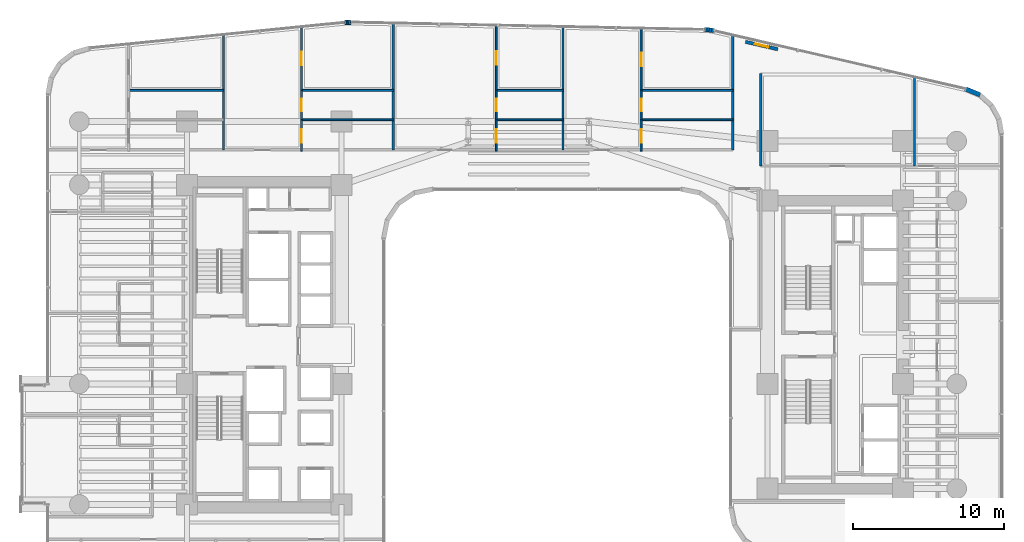
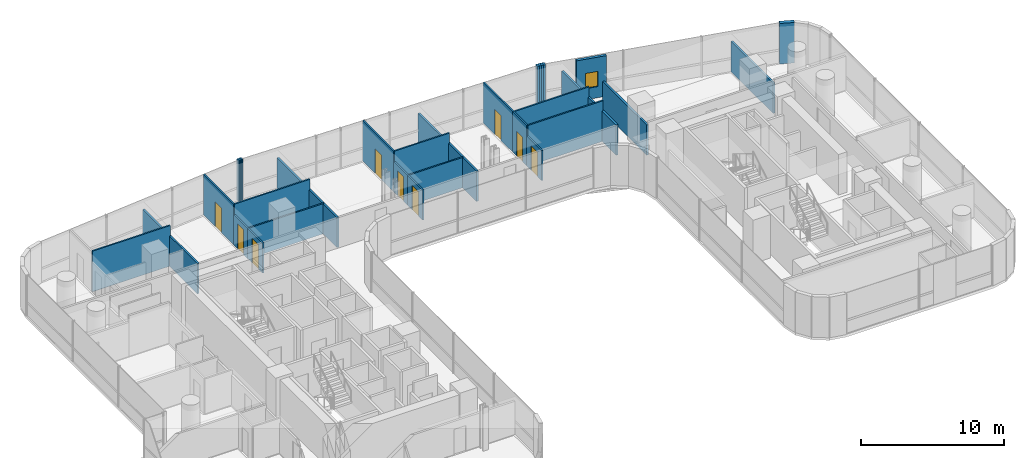
# One storey, part 34 of 41: 32 walls, 9 doors, 1 window, 10 openings.
"""IFC4 building model written with IfcOpenShell, lengths in metres."""

from ifc_helpers import new_model, si_unit, direction, frame, frame_2d, origin, place, context, subcontext, project, spatial, rectangle, extrude, material, layer, layer_set, type_object, element, fill, save


model = new_model("IFC4")

# Units and contexts
model_context = context("Model", 3, precision=1e-05, world=origin(), true_north=direction((0.0, 1.0)))
body_context = subcontext(model_context, "Body", "Model", "MODEL_VIEW")
ifc_project = project(units=[si_unit("LENGTHUNIT", "METRE"), si_unit("AREAUNIT", "SQUARE_METRE"), si_unit("VOLUMEUNIT", "CUBIC_METRE"), si_unit("PLANEANGLEUNIT", "RADIAN"), si_unit("MASSUNIT", "GRAM", prefix="KILO")], contexts=[model_context])

# Site, building, storey
site_placement = place(None, origin())
site = spatial("IfcSite", under=ifc_project, at=site_placement, CompositionType="ELEMENT")
building_placement = place(site_placement, origin())
building = spatial("IfcBuilding", under=site, at=building_placement, Name="Valdorenza Pilgrim Sanctuary Tower", CompositionType="ELEMENT")
storey_placement = place(building_placement, frame((0.0, 0.0, 59.300048828125)))
storey = spatial("IfcBuildingStorey", under=building, at=storey_placement, Name="L14", CompositionType="ELEMENT", Elevation=59.300048828125)

# Walls
ifc_material_1 = material(Name="Acoustic twin-stud gypsum partition", Category="gypsum")
ifc_layer_1 = layer(ifc_material_1, 0.159912109375, Name="Acoustic twin-stud gypsum partition")
ifc_layer_set_1 = layer_set([ifc_layer_1], Name="Acoustic twin-stud gypsum partition")
wall_type_1 = type_object("IfcWallType", Name="WAL-COR-160", PredefinedType="PARTITIONING", material=ifc_layer_set_1)
wall_1_placement = place(storey_placement, frame((13.550048828125, 12.919921875, 0.0), z_axis=(0.0, 0.0, 1.0), x_axis=(0.0, 1.0, 0.0)))
element("IfcWall", 1, at=wall_1_placement, inside=storey, type_object=wall_type_1, Name="L14 North Band East Closure", PredefinedType="PARTITIONING", context=body_context, shape_type="SweptSolid", body=[
    extrude(rectangle(XDim=7.609375, YDim=0.159912109375, at=frame_2d((3.8046875, 0.0))), origin(), (0.0, 0.0, 1.0), 2.5830078125),
])
wall_2_placement = place(storey_placement, frame((15.39990234375, 11.85009765625, 0.0), z_axis=(0.0, 0.0, 1.0), x_axis=(0.0, 1.0, 0.0)))
element("IfcWall", 2, at=wall_2_placement, inside=storey, type_object=wall_type_1, Name="L14 Wing B North West Wall", PredefinedType="PARTITIONING", context=body_context, shape_type="SweptSolid", body=[
    extrude(rectangle(XDim=6.14990234375, YDim=0.159912109375, at=frame_2d((3.074951171875, 0.0))), origin(), (0.0, 0.0, 1.0), 2.5830078125),
])
wall_3_placement = place(storey_placement, frame((25.60009765625, 11.85009765625, 0.0), z_axis=(0.0, 0.0, 1.0), x_axis=(0.0, 1.0, 0.0)))
element("IfcWall", 3, at=wall_3_placement, inside=storey, type_object=wall_type_1, Name="L14 Wing B North East Wall", PredefinedType="PARTITIONING", context=body_context, shape_type="SweptSolid", body=[
    extrude(rectangle(XDim=5.8984375, YDim=0.159912109375, at=frame_2d((2.94921875, 0.0))), origin(), (0.0, 0.0, 1.0), 2.5830078125),
])
ifc_material_2 = material(Name="Honed travertine limestone", Category="masonry")
ifc_layer_2 = layer(ifc_material_2, 0.300048828125, Name="Honed travertine limestone")
ifc_layer_set_2 = layer_set([ifc_layer_2], Name="Honed travertine limestone")
wall_type_2 = type_object("IfcWallType", Name="WAL-EXT-300", PredefinedType="SOLIDWALL", material=ifc_layer_set_2)
wall_4_placement = place(storey_placement, frame((-12.181884765625, 21.371337890625, 0.0), z_axis=(0.0, 0.0, 1.0), x_axis=(0.996527790842, 0.08326080759, 0.0)))
element("IfcWall", 4, at=wall_4_placement, inside=storey, type_object=wall_type_2, Name="L14 Rounded Wind-Corner Stone Pier 7", PredefinedType="SOLIDWALL", context=body_context, shape_type="SweptSolid", body=[
    extrude(rectangle(XDim=0.09375, YDim=0.300048828125, at=frame_2d((0.046875, 0.0))), origin(), (0.0, 0.0, 1.0), 3.4599609375),
])
wall_5_placement = place(storey_placement, frame((-12.08837890625, 21.379150390625, 0.0), z_axis=(0.0, 0.0, 1.0), x_axis=(0.998476480444, 0.055178963393, 0.0)))
element("IfcWall", 5, at=wall_5_placement, inside=storey, type_object=wall_type_2, Name="L14 Rounded Wind-Corner Stone Pier 8", PredefinedType="SOLIDWALL", context=body_context, shape_type="SweptSolid", body=[
    extrude(rectangle(XDim=0.093017578125, YDim=0.300048828125, at=frame_2d((0.04638671875, 0.0))), origin(), (0.0, 0.0, 1.0), 3.4599609375),
])
wall_6_placement = place(storey_placement, frame((-11.99560546875, 21.38427734375, 0.0), z_axis=(0.0, 0.0, 1.0), x_axis=(0.999722573757, 0.023553673204, 0.0)))
element("IfcWall", 6, at=wall_6_placement, inside=storey, type_object=wall_type_2, Name="L14 Rounded Wind-Corner Stone Pier 9", PredefinedType="SOLIDWALL", context=body_context, shape_type="SweptSolid", body=[
    extrude(rectangle(XDim=0.09326171875, YDim=0.300048828125, at=frame_2d((0.046630859375, 0.0))), origin(), (0.0, 0.0, 1.0), 3.4599609375),
])
wall_7_placement = place(storey_placement, frame((-11.90234375, 21.386474609375, 0.0), z_axis=(0.0, 0.0, 1.0), x_axis=(0.999986507273, -0.005194735103, 0.0)))
element("IfcWall", 7, at=wall_7_placement, inside=storey, type_object=wall_type_2, Name="L14 Rounded Wind-Corner Stone Pier 10", PredefinedType="SOLIDWALL", context=body_context, shape_type="SweptSolid", body=[
    extrude(rectangle(XDim=0.093994140625, YDim=0.300048828125, at=frame_2d((0.046875, 0.0))), origin(), (0.0, 0.0, 1.0), 3.4599609375),
])
wall_8_placement = place(storey_placement, frame((11.665771484375, 20.89697265625, 0.0), z_axis=(0.0, 0.0, 1.0), x_axis=(0.998885297239, -0.047203421059, 0.0)))
element("IfcWall", 8, at=wall_8_placement, inside=storey, type_object=wall_type_2, Name="L14 Rounded Wind-Corner Stone Pier 12", PredefinedType="SOLIDWALL", context=body_context, shape_type="SweptSolid", body=[
    extrude(rectangle(XDim=0.160400390625, YDim=0.300048828125, at=frame_2d((0.080078125, 0.0))), origin(), (0.0, 0.0, 1.0), 3.4599609375),
])
wall_9_placement = place(storey_placement, frame((11.825927734375, 20.889404296875, 0.0), z_axis=(0.0, 0.0, 1.0), x_axis=(0.995172891136, -0.098137234257, 0.0)))
element("IfcWall", 9, at=wall_9_placement, inside=storey, type_object=wall_type_2, Name="L14 Rounded Wind-Corner Stone Pier 13", PredefinedType="SOLIDWALL", context=body_context, shape_type="SweptSolid", body=[
    extrude(rectangle(XDim=0.1591796875, YDim=0.300048828125, at=frame_2d((0.07958984375, 0.0))), origin(), (0.0, 0.0, 1.0), 3.4599609375),
])
wall_10_placement = place(storey_placement, frame((11.984375, 20.873779296875, 0.0), z_axis=(0.0, 0.0, 1.0), x_axis=(0.988846069207, -0.148941100486, 0.0)))
element("IfcWall", 10, at=wall_10_placement, inside=storey, type_object=wall_type_2, Name="L14 Rounded Wind-Corner Stone Pier 14", PredefinedType="SOLIDWALL", context=body_context, shape_type="SweptSolid", body=[
    extrude(rectangle(XDim=0.158935546875, YDim=0.300048828125, at=frame_2d((0.07958984375, 0.0))), origin(), (0.0, 0.0, 1.0), 3.4599609375),
])
wall_11_placement = place(storey_placement, frame((12.1416015625, 20.85009765625, 0.0), z_axis=(0.0, 0.0, 1.0), x_axis=(0.979991950448, -0.19903712482, 0.0)))
element("IfcWall", 11, at=wall_11_placement, inside=storey, type_object=wall_type_2, Name="L14 Rounded Wind-Corner Stone Pier 15", PredefinedType="SOLIDWALL", context=body_context, shape_type="SweptSolid", body=[
    extrude(rectangle(XDim=0.16064453125, YDim=0.300048828125, at=frame_2d((0.080322265625, 0.0))), origin(), (0.0, 0.0, 1.0), 3.4599609375),
])

# Wall, opening, window
wall_12_placement = place(storey_placement, frame((14.388671875, 20.089599609375, 0.0), z_axis=(0.0, 0.0, 1.0), x_axis=(0.974400545997, -0.224818984875, 0.0)))
wall_12 = element("IfcWall", 12, at=wall_12_placement, inside=storey, type_object=wall_type_2, Name="L14 Operable Ventilation Sash Jamb Pier", PredefinedType="SOLIDWALL", context=body_context, shape_type="SweptSolid", body=[
    extrude(rectangle(XDim=2.2001953125, YDim=0.219970703125, at=frame_2d((1.10009765625, 0.0))), origin(), (0.0, 0.0, 1.0), 3.4599609375),
])
opening_1_placement = place(wall_12_placement, frame((0.64990234375, 0.0, 0.949951171875)))
opening_1 = element("IfcOpeningElement", 13, at=opening_1_placement, cuts=wall_12, Name="Opening WN-OP1", PredefinedType="OPENING", context=body_context, shape_type="SweptSolid", body=[
    extrude(rectangle(XDim=0.89990234375, YDim=1.300048828125, at=frame_2d((0.449951171875, 0.64990234375))), frame((0.0, 0.125, 0.0), z_axis=(0.0, -1.0, 0.0), x_axis=(1.0, 0.0, 0.0)), (0.0, 0.0, 1.0), 0.249755859375),
])
ifc_material_3 = material(Name="Ceramic-fritted low-E IGU glazing", Category="glass")
window_type = type_object("IfcWindowType", Name="WIN-OPN-900", PartitioningType="SINGLE_PANEL", PredefinedType="WINDOW", material=ifc_material_3)
window_placement = place(opening_1_placement, origin())
window = element("IfcWindow", 14, at=window_placement, inside=storey, type_object=window_type, Name="L14 Parallel-Pop-Out Operable Facade Panel", OverallHeight=1.300048828125, OverallWidth=0.89990234375, PartitioningType="SINGLE_PANEL", PredefinedType="WINDOW", context=body_context, shape_type="SweptSolid", body=[
    extrude(rectangle(XDim=0.89990234375, YDim=1.300048828125, at=frame_2d((0.449951171875, 0.64990234375))), frame((0.0, 0.030029296875, 0.0), z_axis=(0.0, -1.0, 0.0), x_axis=(1.0, 0.0, 0.0)), (0.0, 0.0, 1.0), 0.06005859375),
])
fill(opening_1, window)

# Walls
wall_13_placement = place(storey_placement, frame((28.98583984375, 16.96728515625, 0.0), z_axis=(0.0, 0.0, 1.0), x_axis=(0.923083852684, -0.384598753136, 0.0)))
element("IfcWall", 15, at=wall_13_placement, inside=storey, type_object=wall_type_2, Name="L14 Rounded Wind-Corner Stone Pier 17", PredefinedType="SOLIDWALL", context=body_context, shape_type="SweptSolid", body=[
    extrude(rectangle(XDim=1.042236328125, YDim=0.300048828125, at=frame_2d((0.52099609375, 0.0))), origin(), (0.0, 0.0, 1.0), 3.4599609375),
])
ifc_material_4 = material(Name="Moisture-resistant gypsum partition", Category="gypsum")
ifc_layer_3 = layer(ifc_material_4, 0.1201171875, Name="Moisture-resistant gypsum partition")
ifc_layer_set_3 = layer_set([ifc_layer_3], Name="Moisture-resistant gypsum partition")
wall_type_3 = type_object("IfcWallType", Name="WAL-INT-120", PredefinedType="PARTITIONING", material=ifc_layer_set_3)
wall_14_placement = place(storey_placement, frame((-26.530029296875, 16.8701171875, 0.0), z_axis=(0.0, 0.0, 1.0), x_axis=(1.0, 0.0, 0.0)))
element("IfcWall", 16, at=wall_14_placement, inside=storey, type_object=wall_type_3, Name="L14 North Sanctuary Apartment L14-N1 Kitchen-Bedroom Wall", PredefinedType="PARTITIONING", context=body_context, shape_type="SweptSolid", body=[
    extrude(rectangle(XDim=6.2919921875, YDim=0.1201171875, at=frame_2d((3.14599609375, 0.0))), origin(), (0.0, 0.0, 1.0), 3.4599609375),
])
wall_15_placement = place(storey_placement, frame((-15.056884765625, 14.919921875, 0.0), z_axis=(0.0, 0.0, 1.0), x_axis=(1.0, 0.0, 0.0)))
element("IfcWall", 17, at=wall_15_placement, inside=storey, type_object=wall_type_3, Name="L14 North Sanctuary Apartment L14-N2 Bath-Kitchen Wall", PredefinedType="PARTITIONING", context=body_context, shape_type="SweptSolid", body=[
    extrude(rectangle(XDim=6.081787109375, YDim=0.1201171875, at=frame_2d((3.041015625, 0.0))), origin(), (0.0, 0.0, 1.0), 2.5830078125),
])
wall_16_placement = place(storey_placement, frame((-15.056884765625, 16.8701171875, 0.0), z_axis=(0.0, 0.0, 1.0), x_axis=(1.0, 0.0, 0.0)))
element("IfcWall", 18, at=wall_16_placement, inside=storey, type_object=wall_type_3, Name="L14 North Sanctuary Apartment L14-N2 Kitchen-Bedroom Wall", PredefinedType="PARTITIONING", context=body_context, shape_type="SweptSolid", body=[
    extrude(rectangle(XDim=6.081787109375, YDim=0.1201171875, at=frame_2d((3.041015625, 0.0))), origin(), (0.0, 0.0, 1.0), 3.4599609375),
])

# Wall, opening, door
wall_17_placement = place(storey_placement, frame((-15.056884765625, 14.919921875, 0.0), z_axis=(0.0, 0.0, 1.0), x_axis=(0.0, 1.0, 0.0)))
wall_17 = element("IfcWall", 19, at=wall_17_placement, inside=storey, type_object=wall_type_3, Name="L14 North Sanctuary Apartment L14-N2 Bathroom Door Wall", PredefinedType="PARTITIONING", context=body_context, shape_type="SweptSolid", body=[
    extrude(rectangle(XDim=1.9501953125, YDim=0.1201171875, at=frame_2d((0.97509765625, 0.0))), origin(), (0.0, 0.0, 1.0), 2.5830078125),
])
opening_2_placement = place(wall_17_placement, frame((0.550048828125, 0.0, 0.0)))
opening_2 = element("IfcOpeningElement", 20, at=opening_2_placement, cuts=wall_17, Name="Opening DR-WC1", PredefinedType="OPENING", context=body_context, shape_type="SweptSolid", body=[
    extrude(rectangle(XDim=0.85009765625, YDim=2.10009765625, at=frame_2d((0.425048828125, 1.050048828125))), frame((0.0, 0.074951171875, 0.0), z_axis=(0.0, -1.0, 0.0), x_axis=(1.0, 0.0, 0.0)), (0.0, 0.0, 1.0), 0.14990234375),
])
ifc_material_5 = material(Name="Moisture-resistant lacquered timber", Category="wood")
door_type_1 = type_object("IfcDoorType", Name="DR-BATH-850", OperationType="NOTDEFINED", PredefinedType="DOOR", material=ifc_material_5)
door_1_placement = place(opening_2_placement, origin())
door_1 = element("IfcDoor", 21, at=door_1_placement, inside=storey, type_object=door_type_1, Name="L14 North Sanctuary Apartment L14-N2 Bathroom Door", OperationType="SINGLE_SWING_RIGHT", OverallHeight=2.10009765625, OverallWidth=0.85009765625, PredefinedType="DOOR", context=body_context, shape_type="SweptSolid", body=[
    extrude(rectangle(XDim=0.85009765625, YDim=2.10009765625, at=frame_2d((0.425048828125, 1.050048828125))), frame((0.0, 0.02490234375, 0.0), z_axis=(0.0, -1.0, 0.0), x_axis=(1.0, 0.0, 0.0)), (0.0, 0.0, 1.0), 0.050048828125),
])
fill(opening_2, door_1)

wall_18_placement = place(storey_placement, frame((-15.056884765625, 12.840087890625, 0.0), z_axis=(0.0, 0.0, 1.0), x_axis=(0.0, 1.0, 0.0)))
wall_18 = element("IfcWall", 22, at=wall_18_placement, inside=storey, type_object=wall_type_3, Name="L14 North Sanctuary Apartment L14-N2 Kitchen Door Wall", PredefinedType="PARTITIONING", context=body_context, shape_type="SweptSolid", body=[
    extrude(rectangle(XDim=2.079833984375, YDim=0.1201171875, at=frame_2d((1.0400390625, 0.0))), origin(), (0.0, 0.0, 1.0), 2.5830078125),
])
opening_3_placement = place(wall_18_placement, frame((0.550048828125, 0.0, 0.0)))
opening_3 = element("IfcOpeningElement", 23, at=opening_3_placement, cuts=wall_18, Name="Opening DR-RM1", PredefinedType="OPENING", context=body_context, shape_type="SweptSolid", body=[
    extrude(rectangle(XDim=0.89990234375, YDim=2.10009765625, at=frame_2d((0.449951171875, 1.050048828125))), frame((0.0, 0.074951171875, 0.0), z_axis=(0.0, -1.0, 0.0), x_axis=(1.0, 0.0, 0.0)), (0.0, 0.0, 1.0), 0.14990234375),
])
ifc_material_6 = material(Name="Solid-core European oak timber", Category="wood")
door_type_2 = type_object("IfcDoorType", Name="DR-ROOM-900", OperationType="NOTDEFINED", PredefinedType="DOOR", material=ifc_material_6)
door_2_placement = place(opening_3_placement, origin())
door_2 = element("IfcDoor", 24, at=door_2_placement, inside=storey, type_object=door_type_2, Name="L14 North Sanctuary Apartment L14-N2 Kitchen Door", OperationType="SINGLE_SWING_LEFT", OverallHeight=2.10009765625, OverallWidth=0.89990234375, PredefinedType="DOOR", context=body_context, shape_type="SweptSolid", body=[
    extrude(rectangle(XDim=0.89990234375, YDim=2.10009765625, at=frame_2d((0.449951171875, 1.050048828125))), frame((0.0, 0.02490234375, 0.0), z_axis=(0.0, -1.0, 0.0), x_axis=(1.0, 0.0, 0.0)), (0.0, 0.0, 1.0), 0.050048828125),
])
fill(opening_3, door_2)

wall_19_placement = place(storey_placement, frame((-15.056884765625, 16.8701171875, 0.0), z_axis=(0.0, 0.0, 1.0), x_axis=(0.0, 1.0, 0.0)))
wall_19 = element("IfcWall", 25, at=wall_19_placement, inside=storey, type_object=wall_type_3, Name="L14 North Sanctuary Apartment L14-N2 Bedroom Door Wall", PredefinedType="PARTITIONING", context=body_context, shape_type="SweptSolid", body=[
    extrude(rectangle(XDim=4.213623046875, YDim=0.1201171875, at=frame_2d((2.10693359375, 0.0))), origin(), (0.0, 0.0, 1.0), 3.4599609375),
])
opening_4_placement = place(wall_19_placement, frame((1.656982421875, 0.0, 0.0)))
opening_4 = element("IfcOpeningElement", 26, at=opening_4_placement, cuts=wall_19, Name="Opening DR-RM1", PredefinedType="OPENING", context=body_context, shape_type="SweptSolid", body=[
    extrude(rectangle(XDim=0.89990234375, YDim=2.10009765625, at=frame_2d((0.449951171875, 1.050048828125))), frame((0.0, 0.074951171875, 0.0), z_axis=(0.0, -1.0, 0.0), x_axis=(1.0, 0.0, 0.0)), (0.0, 0.0, 1.0), 0.14990234375),
])
door_3_placement = place(opening_4_placement, origin())
door_3 = element("IfcDoor", 27, at=door_3_placement, inside=storey, type_object=door_type_2, Name="L14 North Sanctuary Apartment L14-N2 Bedroom Door", OperationType="SINGLE_SWING_RIGHT", OverallHeight=2.10009765625, OverallWidth=0.89990234375, PredefinedType="DOOR", context=body_context, shape_type="SweptSolid", body=[
    extrude(rectangle(XDim=0.89990234375, YDim=2.10009765625, at=frame_2d((0.449951171875, 1.050048828125))), frame((0.0, 0.02490234375, 0.0), z_axis=(0.0, -1.0, 0.0), x_axis=(1.0, 0.0, 0.0)), (0.0, 0.0, 1.0), 0.050048828125),
])
fill(opening_4, door_3)

# Walls
wall_20_placement = place(storey_placement, frame((-2.14453125, 14.919921875, 0.0), z_axis=(0.0, 0.0, 1.0), x_axis=(1.0, 0.0, 0.0)))
element("IfcWall", 28, at=wall_20_placement, inside=storey, type_object=wall_type_3, Name="L14 North Sanctuary Apartment L14-N3 Bath-Kitchen Wall", PredefinedType="PARTITIONING", context=body_context, shape_type="SweptSolid", body=[
    extrude(rectangle(XDim=4.431640625, YDim=0.1201171875, at=frame_2d((2.2158203125, 0.0))), origin(), (0.0, 0.0, 1.0), 2.5830078125),
])
wall_21_placement = place(storey_placement, frame((-2.14453125, 16.8701171875, 0.0), z_axis=(0.0, 0.0, 1.0), x_axis=(1.0, 0.0, 0.0)))
element("IfcWall", 29, at=wall_21_placement, inside=storey, type_object=wall_type_3, Name="L14 North Sanctuary Apartment L14-N3 Kitchen-Bedroom Wall", PredefinedType="PARTITIONING", context=body_context, shape_type="SweptSolid", body=[
    extrude(rectangle(XDim=4.431640625, YDim=0.1201171875, at=frame_2d((2.2158203125, 0.0))), origin(), (0.0, 0.0, 1.0), 3.4599609375),
])

# Wall, opening, door
wall_22_placement = place(storey_placement, frame((-2.14453125, 14.919921875, 0.0), z_axis=(0.0, 0.0, 1.0), x_axis=(0.0, 1.0, 0.0)))
wall_22 = element("IfcWall", 30, at=wall_22_placement, inside=storey, type_object=wall_type_3, Name="L14 North Sanctuary Apartment L14-N3 Bathroom Door Wall", PredefinedType="PARTITIONING", context=body_context, shape_type="SweptSolid", body=[
    extrude(rectangle(XDim=1.9501953125, YDim=0.1201171875, at=frame_2d((0.97509765625, 0.0))), origin(), (0.0, 0.0, 1.0), 2.5830078125),
])
opening_5_placement = place(wall_22_placement, frame((0.550048828125, 0.0, 0.0)))
opening_5 = element("IfcOpeningElement", 31, at=opening_5_placement, cuts=wall_22, Name="Opening DR-WC1", PredefinedType="OPENING", context=body_context, shape_type="SweptSolid", body=[
    extrude(rectangle(XDim=0.85009765625, YDim=2.10009765625, at=frame_2d((0.425048828125, 1.050048828125))), frame((0.0, 0.074951171875, 0.0), z_axis=(0.0, -1.0, 0.0), x_axis=(1.0, 0.0, 0.0)), (0.0, 0.0, 1.0), 0.14990234375),
])
door_4_placement = place(opening_5_placement, origin())
door_4 = element("IfcDoor", 32, at=door_4_placement, inside=storey, type_object=door_type_1, Name="L14 North Sanctuary Apartment L14-N3 Bathroom Door", OperationType="SINGLE_SWING_RIGHT", OverallHeight=2.10009765625, OverallWidth=0.85009765625, PredefinedType="DOOR", context=body_context, shape_type="SweptSolid", body=[
    extrude(rectangle(XDim=0.85009765625, YDim=2.10009765625, at=frame_2d((0.425048828125, 1.050048828125))), frame((0.0, 0.02490234375, 0.0), z_axis=(0.0, -1.0, 0.0), x_axis=(1.0, 0.0, 0.0)), (0.0, 0.0, 1.0), 0.050048828125),
])
fill(opening_5, door_4)

wall_23_placement = place(storey_placement, frame((-2.14453125, 12.840087890625, 0.0), z_axis=(0.0, 0.0, 1.0), x_axis=(0.0, 1.0, 0.0)))
wall_23 = element("IfcWall", 33, at=wall_23_placement, inside=storey, type_object=wall_type_3, Name="L14 North Sanctuary Apartment L14-N3 Kitchen Door Wall", PredefinedType="PARTITIONING", context=body_context, shape_type="SweptSolid", body=[
    extrude(rectangle(XDim=2.079833984375, YDim=0.1201171875, at=frame_2d((1.0400390625, 0.0))), origin(), (0.0, 0.0, 1.0), 2.5830078125),
])
opening_6_placement = place(wall_23_placement, frame((0.550048828125, 0.0, 0.0)))
opening_6 = element("IfcOpeningElement", 34, at=opening_6_placement, cuts=wall_23, Name="Opening DR-RM1", PredefinedType="OPENING", context=body_context, shape_type="SweptSolid", body=[
    extrude(rectangle(XDim=0.89990234375, YDim=2.10009765625, at=frame_2d((0.449951171875, 1.050048828125))), frame((0.0, 0.074951171875, 0.0), z_axis=(0.0, -1.0, 0.0), x_axis=(1.0, 0.0, 0.0)), (0.0, 0.0, 1.0), 0.14990234375),
])
door_5_placement = place(opening_6_placement, origin())
door_5 = element("IfcDoor", 35, at=door_5_placement, inside=storey, type_object=door_type_2, Name="L14 North Sanctuary Apartment L14-N3 Kitchen Door", OperationType="SINGLE_SWING_LEFT", OverallHeight=2.10009765625, OverallWidth=0.89990234375, PredefinedType="DOOR", context=body_context, shape_type="SweptSolid", body=[
    extrude(rectangle(XDim=0.89990234375, YDim=2.10009765625, at=frame_2d((0.449951171875, 1.050048828125))), frame((0.0, 0.02490234375, 0.0), z_axis=(0.0, -1.0, 0.0), x_axis=(1.0, 0.0, 0.0)), (0.0, 0.0, 1.0), 0.050048828125),
])
fill(opening_6, door_5)

wall_24_placement = place(storey_placement, frame((-2.14453125, 16.8701171875, 0.0), z_axis=(0.0, 0.0, 1.0), x_axis=(0.0, 1.0, 0.0)))
wall_24 = element("IfcWall", 36, at=wall_24_placement, inside=storey, type_object=wall_type_3, Name="L14 North Sanctuary Apartment L14-N3 Bedroom Door Wall", PredefinedType="PARTITIONING", context=body_context, shape_type="SweptSolid", body=[
    extrude(rectangle(XDim=4.314697265625, YDim=0.1201171875, at=frame_2d((2.1572265625, 0.0))), origin(), (0.0, 0.0, 1.0), 3.4599609375),
])
opening_7_placement = place(wall_24_placement, frame((1.70703125, 0.0, 0.0)))
opening_7 = element("IfcOpeningElement", 37, at=opening_7_placement, cuts=wall_24, Name="Opening DR-RM1", PredefinedType="OPENING", context=body_context, shape_type="SweptSolid", body=[
    extrude(rectangle(XDim=0.89990234375, YDim=2.10009765625, at=frame_2d((0.449951171875, 1.050048828125))), frame((0.0, 0.074951171875, 0.0), z_axis=(0.0, -1.0, 0.0), x_axis=(1.0, 0.0, 0.0)), (0.0, 0.0, 1.0), 0.14990234375),
])
door_6_placement = place(opening_7_placement, origin())
door_6 = element("IfcDoor", 38, at=door_6_placement, inside=storey, type_object=door_type_2, Name="L14 North Sanctuary Apartment L14-N3 Bedroom Door", OperationType="SINGLE_SWING_RIGHT", OverallHeight=2.10009765625, OverallWidth=0.89990234375, PredefinedType="DOOR", context=body_context, shape_type="SweptSolid", body=[
    extrude(rectangle(XDim=0.89990234375, YDim=2.10009765625, at=frame_2d((0.449951171875, 1.050048828125))), frame((0.0, 0.02490234375, 0.0), z_axis=(0.0, -1.0, 0.0), x_axis=(1.0, 0.0, 0.0)), (0.0, 0.0, 1.0), 0.050048828125),
])
fill(opening_7, door_6)

# Walls
for number, where, z_axis, x_axis, name in (
    (39, (7.468017578125, 14.919921875, 0.0), (0.0, 0.0, 1.0), (1.0, 0.0, 0.0), "L14 North Sanctuary Apartment L14-N4 Bath-Kitchen Wall"),
    (40, (7.468017578125, 16.8701171875, 0.0), (0.0, 0.0, 1.0), (1.0, 0.0, 0.0), "L14 North Sanctuary Apartment L14-N4 Kitchen-Bedroom Wall"),
):
    element("IfcWall", number, at=place(storey_placement, frame(where, z_axis=z_axis, x_axis=x_axis)), inside=storey, type_object=wall_type_3, Name=name, PredefinedType="PARTITIONING", context=body_context, shape_type="SweptSolid", body=[
        extrude(rectangle(XDim=6.08203125, YDim=0.1201171875, at=frame_2d((3.041015625, 0.0))), origin(), (0.0, 0.0, 1.0), 3.4599609375),
    ])

# Wall, opening, door
wall_25_placement = place(storey_placement, frame((7.468017578125, 14.919921875, 0.0), z_axis=(0.0, 0.0, 1.0), x_axis=(0.0, 1.0, 0.0)))
wall_25 = element("IfcWall", 41, at=wall_25_placement, inside=storey, type_object=wall_type_3, Name="L14 North Sanctuary Apartment L14-N4 Bathroom Door Wall", PredefinedType="PARTITIONING", context=body_context, shape_type="SweptSolid", body=[
    extrude(rectangle(XDim=1.9501953125, YDim=0.1201171875, at=frame_2d((0.97509765625, 0.0))), origin(), (0.0, 0.0, 1.0), 3.4599609375),
])
opening_8_placement = place(wall_25_placement, frame((0.550048828125, 0.0, 0.0)))
opening_8 = element("IfcOpeningElement", 42, at=opening_8_placement, cuts=wall_25, Name="Opening DR-WC1", PredefinedType="OPENING", context=body_context, shape_type="SweptSolid", body=[
    extrude(rectangle(XDim=0.85009765625, YDim=2.10009765625, at=frame_2d((0.425048828125, 1.050048828125))), frame((0.0, 0.074951171875, 0.0), z_axis=(0.0, -1.0, 0.0), x_axis=(1.0, 0.0, 0.0)), (0.0, 0.0, 1.0), 0.14990234375),
])
door_7_placement = place(opening_8_placement, origin())
door_7 = element("IfcDoor", 43, at=door_7_placement, inside=storey, type_object=door_type_1, Name="L14 North Sanctuary Apartment L14-N4 Bathroom Door", OperationType="SINGLE_SWING_RIGHT", OverallHeight=2.10009765625, OverallWidth=0.85009765625, PredefinedType="DOOR", context=body_context, shape_type="SweptSolid", body=[
    extrude(rectangle(XDim=0.85009765625, YDim=2.10009765625, at=frame_2d((0.425048828125, 1.050048828125))), frame((0.0, 0.02490234375, 0.0), z_axis=(0.0, -1.0, 0.0), x_axis=(1.0, 0.0, 0.0)), (0.0, 0.0, 1.0), 0.050048828125),
])
fill(opening_8, door_7)

wall_26_placement = place(storey_placement, frame((7.468017578125, 12.840087890625, 0.0), z_axis=(0.0, 0.0, 1.0), x_axis=(0.0, 1.0, 0.0)))
wall_26 = element("IfcWall", 44, at=wall_26_placement, inside=storey, type_object=wall_type_3, Name="L14 North Sanctuary Apartment L14-N4 Kitchen Door Wall", PredefinedType="PARTITIONING", context=body_context, shape_type="SweptSolid", body=[
    extrude(rectangle(XDim=2.079833984375, YDim=0.1201171875, at=frame_2d((1.0400390625, 0.0))), origin(), (0.0, 0.0, 1.0), 2.5830078125),
])
opening_9_placement = place(wall_26_placement, frame((0.550048828125, 0.0, 0.0)))
opening_9 = element("IfcOpeningElement", 45, at=opening_9_placement, cuts=wall_26, Name="Opening DR-RM1", PredefinedType="OPENING", context=body_context, shape_type="SweptSolid", body=[
    extrude(rectangle(XDim=0.89990234375, YDim=2.10009765625, at=frame_2d((0.449951171875, 1.050048828125))), frame((0.0, 0.074951171875, 0.0), z_axis=(0.0, -1.0, 0.0), x_axis=(1.0, 0.0, 0.0)), (0.0, 0.0, 1.0), 0.14990234375),
])
door_8_placement = place(opening_9_placement, origin())
door_8 = element("IfcDoor", 46, at=door_8_placement, inside=storey, type_object=door_type_2, Name="L14 North Sanctuary Apartment L14-N4 Kitchen Door", OperationType="SINGLE_SWING_LEFT", OverallHeight=2.10009765625, OverallWidth=0.89990234375, PredefinedType="DOOR", context=body_context, shape_type="SweptSolid", body=[
    extrude(rectangle(XDim=0.89990234375, YDim=2.10009765625, at=frame_2d((0.449951171875, 1.050048828125))), frame((0.0, 0.02490234375, 0.0), z_axis=(0.0, -1.0, 0.0), x_axis=(1.0, 0.0, 0.0)), (0.0, 0.0, 1.0), 0.050048828125),
])
fill(opening_9, door_8)

wall_27_placement = place(storey_placement, frame((7.468017578125, 16.8701171875, 0.0), z_axis=(0.0, 0.0, 1.0), x_axis=(0.0, 1.0, 0.0)))
wall_27 = element("IfcWall", 47, at=wall_27_placement, inside=storey, type_object=wall_type_3, Name="L14 North Sanctuary Apartment L14-N4 Bedroom Door Wall", PredefinedType="PARTITIONING", context=body_context, shape_type="SweptSolid", body=[
    extrude(rectangle(XDim=4.1142578125, YDim=0.1201171875, at=frame_2d((2.05712890625, 0.0))), origin(), (0.0, 0.0, 1.0), 3.4599609375),
])
opening_10_placement = place(wall_27_placement, frame((1.60693359375, 0.0, 0.0)))
opening_10 = element("IfcOpeningElement", 48, at=opening_10_placement, cuts=wall_27, Name="Opening DR-RM1", PredefinedType="OPENING", context=body_context, shape_type="SweptSolid", body=[
    extrude(rectangle(XDim=0.89990234375, YDim=2.10009765625, at=frame_2d((0.449951171875, 1.050048828125))), frame((0.0, 0.074951171875, 0.0), z_axis=(0.0, -1.0, 0.0), x_axis=(1.0, 0.0, 0.0)), (0.0, 0.0, 1.0), 0.14990234375),
])
door_9_placement = place(opening_10_placement, origin())
door_9 = element("IfcDoor", 49, at=door_9_placement, inside=storey, type_object=door_type_2, Name="L14 North Sanctuary Apartment L14-N4 Bedroom Door", OperationType="SINGLE_SWING_RIGHT", OverallHeight=2.10009765625, OverallWidth=0.89990234375, PredefinedType="DOOR", context=body_context, shape_type="SweptSolid", body=[
    extrude(rectangle(XDim=0.89990234375, YDim=2.10009765625, at=frame_2d((0.449951171875, 1.050048828125))), frame((0.0, 0.02490234375, 0.0), z_axis=(0.0, -1.0, 0.0), x_axis=(1.0, 0.0, 0.0)), (0.0, 0.0, 1.0), 0.050048828125),
])
fill(opening_10, door_9)

# Walls
ifc_layer_4 = layer(ifc_material_1, 0.14990234375, Name="Acoustic twin-stud gypsum partition")
ifc_layer_set_4 = layer_set([ifc_layer_4], Name="Acoustic twin-stud gypsum partition")
wall_type_4 = type_object("IfcWallType", Name="WAL-UNT-150", PredefinedType="PARTITIONING", material=ifc_layer_set_4)
wall_28_placement = place(storey_placement, frame((-20.238037109375, 12.919921875, 0.0), z_axis=(0.0, 0.0, 1.0), x_axis=(0.0, 1.0, 0.0)))
element("IfcWall", 50, at=wall_28_placement, inside=storey, type_object=wall_type_4, Name="L14 North Apt Demising 1", PredefinedType="PARTITIONING", context=body_context, shape_type="SweptSolid", body=[
    extrude(rectangle(XDim=7.645751953125, YDim=0.14990234375, at=frame_2d((3.82275390625, 0.0))), origin(), (0.0, 0.0, 1.0), 2.5830078125),
])
wall_29_placement = place(storey_placement, frame((-8.97509765625, 12.919921875, 0.0), z_axis=(0.0, 0.0, 1.0), x_axis=(0.0, 1.0, 0.0)))
element("IfcWall", 51, at=wall_29_placement, inside=storey, type_object=wall_type_4, Name="L14 North Apt Demising 2", PredefinedType="PARTITIONING", context=body_context, shape_type="SweptSolid", body=[
    extrude(rectangle(XDim=8.406982421875, YDim=0.14990234375, at=frame_2d((4.20361328125, 0.0))), origin(), (0.0, 0.0, 1.0), 2.5830078125),
])
wall_30_placement = place(storey_placement, frame((2.287109375, 12.919921875, 0.0), z_axis=(0.0, 0.0, 1.0), x_axis=(0.0, 1.0, 0.0)))
element("IfcWall", 52, at=wall_30_placement, inside=storey, type_object=wall_type_4, Name="L14 North Apt Demising 3", PredefinedType="PARTITIONING", context=body_context, shape_type="SweptSolid", body=[
    extrude(rectangle(XDim=8.17236328125, YDim=0.14990234375, at=frame_2d((4.086181640625, 0.0))), origin(), (0.0, 0.0, 1.0), 2.5830078125),
])

save(model, "model.ifc")
